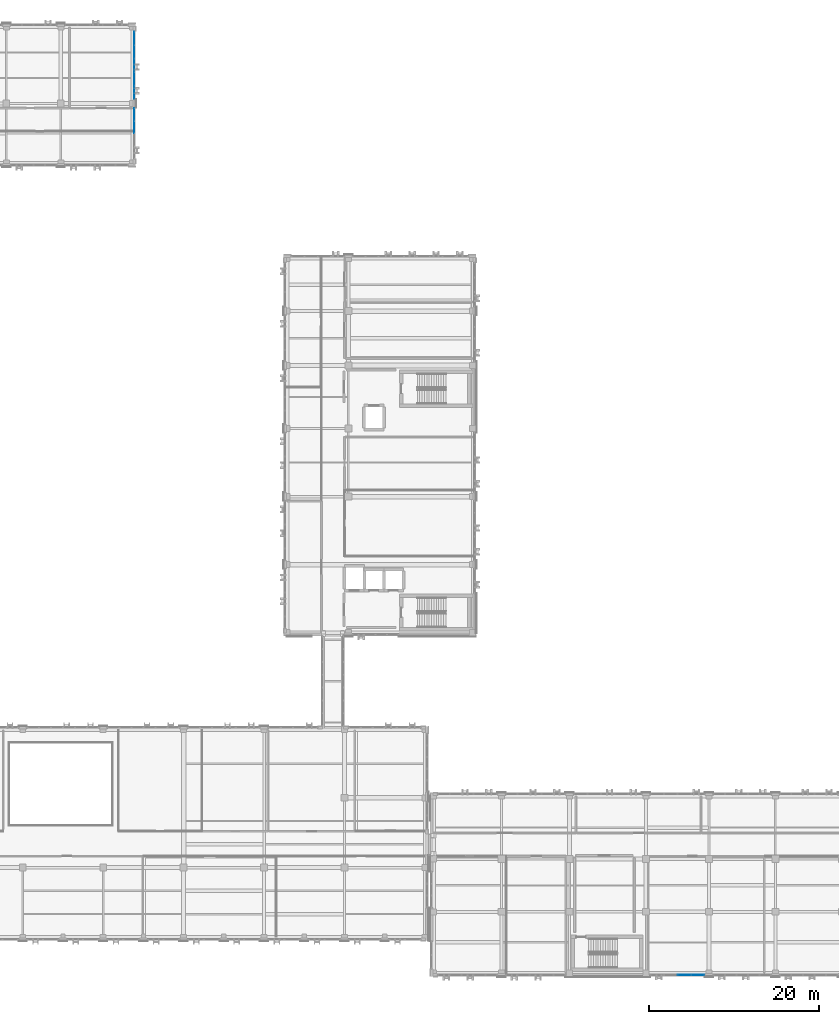
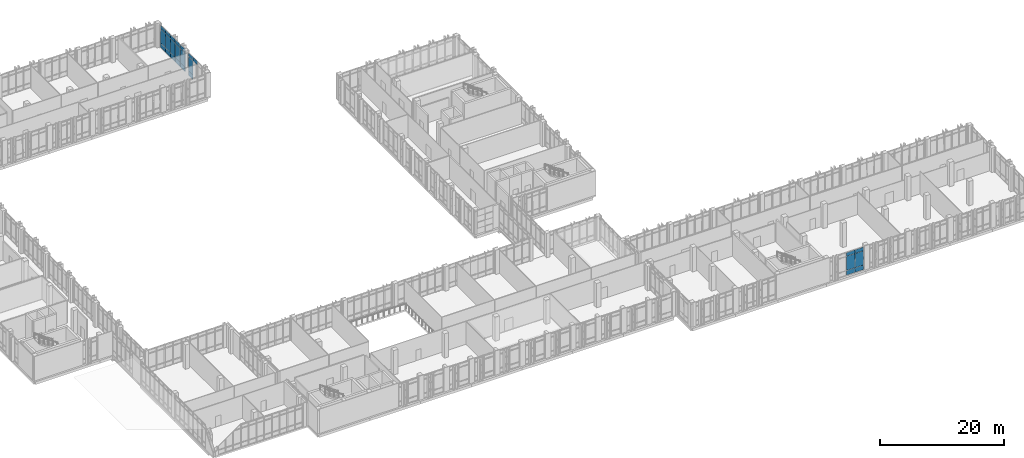
# One storey, part 147 of 189: 25 plates, 3 elements without a shape of their own.
"""IFC4 building model written with IfcOpenShell, lengths in metres."""

from ifc_helpers import new_model, si_unit, direction, frame, origin, origin_2d, place, context, subcontext, project, spatial, rectangle, extrude, material, layer, layer_set, type_object, element, aggregate, save


model = new_model("IFC4")

# Units and contexts
model_context = context("Model", 3, precision=1e-05, world=origin(), true_north=direction((0.0, 1.0)))
body_context = subcontext(model_context, "Body", "Model", "MODEL_VIEW")
ifc_project = project(units=[si_unit("LENGTHUNIT", "METRE"), si_unit("AREAUNIT", "SQUARE_METRE"), si_unit("VOLUMEUNIT", "CUBIC_METRE"), si_unit("PLANEANGLEUNIT", "RADIAN"), si_unit("MASSUNIT", "GRAM", prefix="KILO")], contexts=[model_context])

# Site, building, storey
site_placement = place(None, origin())
site = spatial("IfcSite", under=ifc_project, at=site_placement, CompositionType="ELEMENT")
building_placement = place(site_placement, origin())
building = spatial("IfcBuilding", under=site, at=building_placement, Name="Qalavern Law Courts", CompositionType="ELEMENT")
storey_placement = place(building_placement, frame((0.0, 0.0, 5.39990234375)))
storey = spatial("IfcBuildingStorey", under=building, at=storey_placement, Name="L01", CompositionType="ELEMENT", Elevation=5.39990234375)

# Curtain wall, plates
ifc_material_1 = material(Name="Anodised aluminium and insulated glazing", Category="aluminium")
ifc_layer_1 = layer(ifc_material_1, 0.166015625)
ifc_layer_set_1 = layer_set([ifc_layer_1], Name="Anodised aluminium and insulated glazing")
curtain_wall_type_1 = type_object("IfcCurtainWallType", Name="ENV-CW-LIB", PredefinedType="USERDEFINED", material=ifc_layer_set_1)
curtain_wall_1_placement = place(storey_placement, origin())
curtain_wall_1 = element("IfcCurtainWall", 1, at=curtain_wall_1_placement, inside=storey, type_object=curtain_wall_type_1, Name="V5 unitised curtain wall L01 east 1", ObjectType="UNITISED CURTAIN WALL", PredefinedType="USERDEFINED")
ifc_material_2 = material(Name="Insulated low-E acoustic glazing", Category="glass")
ifc_layer_2 = layer(ifc_material_2, 0.0439453125)
ifc_layer_set_2 = layer_set([ifc_layer_2], Name="Insulated low-E acoustic glazing")
plate_type_1 = type_object("IfcPlateType", Name="ENV-CWP-44", PredefinedType="CURTAIN_PANEL", material=ifc_layer_set_2)
plate_1_placement = place(storey_placement, frame((66.637451171875, 100.85009765625, 3.7841796875), z_axis=(0.0, 0.0, 1.0), x_axis=(0.0, 1.0, 0.0)))
plate_1 = element("IfcPlate", 2, at=plate_1_placement, type_object=plate_type_1, Name="CW-05 panel 3.3", PredefinedType="CURTAIN_PANEL", context=body_context, shape_type="SweptSolid", body=[
    extrude(rectangle(XDim=1.451904296875, YDim=0.0439453125, at=origin_2d()), origin(), (0.0, 0.0, 1.0), 0.677978515625),
])
plate_2_placement = place(storey_placement, frame((66.637451171875, 102.337890625, 0.048095703125), z_axis=(0.0, 0.0, 1.0), x_axis=(0.0, 1.0, 0.0)))
plate_2 = element("IfcPlate", 3, at=plate_2_placement, type_object=plate_type_1, Name="CW-05 panel 4.1", PredefinedType="CURTAIN_PANEL", context=body_context, shape_type="SweptSolid", body=[
    extrude(rectangle(XDim=1.427978515625, YDim=0.0439453125, at=origin_2d()), origin(), (0.0, 0.0, 1.0), 0.8779296875),
])
plate_3_placement = place(storey_placement, frame((66.637451171875, 102.337890625, 0.97412109375), z_axis=(0.0, 0.0, 1.0), x_axis=(0.0, 1.0, 0.0)))
plate_3 = element("IfcPlate", 4, at=plate_3_placement, type_object=plate_type_1, Name="CW-05 panel 4.2", PredefinedType="CURTAIN_PANEL", context=body_context, shape_type="SweptSolid", body=[
    extrude(rectangle(XDim=1.427978515625, YDim=0.0439453125, at=origin_2d()), origin(), (0.0, 0.0, 1.0), 2.761962890625),
])
plate_4_placement = place(storey_placement, frame((66.637451171875, 102.337890625, 3.7841796875), z_axis=(0.0, 0.0, 1.0), x_axis=(0.0, 1.0, 0.0)))
plate_4 = element("IfcPlate", 5, at=plate_4_placement, type_object=plate_type_1, Name="CW-05 panel 4.3", PredefinedType="CURTAIN_PANEL", context=body_context, shape_type="SweptSolid", body=[
    extrude(rectangle(XDim=1.427978515625, YDim=0.0439453125, at=origin_2d()), origin(), (0.0, 0.0, 1.0), 0.677978515625),
])
aggregate(curtain_wall_1, [plate_1, plate_2, plate_3, plate_4])

curtain_wall_2_placement = place(storey_placement, origin())
curtain_wall_2 = element("IfcCurtainWall", 6, at=curtain_wall_2_placement, inside=storey, type_object=curtain_wall_type_1, Name="V5 unitised curtain wall L01 east 2", ObjectType="UNITISED CURTAIN WALL", PredefinedType="USERDEFINED")
ifc_layer_3 = layer(ifc_material_2, 0.048095703125)
ifc_layer_set_3 = layer_set([ifc_layer_3], Name="Insulated low-E acoustic glazing")
plate_type_2 = type_object("IfcPlateType", Name="ENV-CWP-48", PredefinedType="CURTAIN_PANEL", material=ifc_layer_set_3)
plate_5_placement = place(storey_placement, frame((66.637451171875, 104.912109375, 0.048095703125), z_axis=(0.0, 0.0, 1.0), x_axis=(0.0, 1.0, 0.0)))
plate_5 = element("IfcPlate", 7, at=plate_5_placement, type_object=plate_type_2, Name="CW-05 panel 1.1", PredefinedType="CURTAIN_PANEL", context=body_context, shape_type="SweptSolid", body=[
    extrude(rectangle(XDim=1.528076171875, YDim=0.048095703125, at=origin_2d()), origin(), (0.0, 0.0, 1.0), 0.8779296875),
])
plate_6_placement = place(storey_placement, frame((66.637451171875, 104.912109375, 0.97412109375), z_axis=(0.0, 0.0, 1.0), x_axis=(0.0, 1.0, 0.0)))
plate_6 = element("IfcPlate", 8, at=plate_6_placement, type_object=plate_type_2, Name="CW-05 panel 1.2", PredefinedType="CURTAIN_PANEL", context=body_context, shape_type="SweptSolid", body=[
    extrude(rectangle(XDim=1.528076171875, YDim=0.048095703125, at=origin_2d()), origin(), (0.0, 0.0, 1.0), 2.761962890625),
])
plate_7_placement = place(storey_placement, frame((66.637451171875, 104.912109375, 3.7841796875), z_axis=(0.0, 0.0, 1.0), x_axis=(0.0, 1.0, 0.0)))
plate_7 = element("IfcPlate", 9, at=plate_7_placement, type_object=plate_type_2, Name="CW-05 panel 1.3", PredefinedType="CURTAIN_PANEL", context=body_context, shape_type="SweptSolid", body=[
    extrude(rectangle(XDim=1.528076171875, YDim=0.048095703125, at=origin_2d()), origin(), (0.0, 0.0, 1.0), 0.677978515625),
])
plate_8_placement = place(storey_placement, frame((66.637451171875, 106.5, 0.048095703125), z_axis=(0.0, 0.0, 1.0), x_axis=(0.0, 1.0, 0.0)))
plate_8 = element("IfcPlate", 10, at=plate_8_placement, type_object=plate_type_2, Name="CW-05 panel 2.1", PredefinedType="CURTAIN_PANEL", context=body_context, shape_type="SweptSolid", body=[
    extrude(rectangle(XDim=1.552001953125, YDim=0.048095703125, at=origin_2d()), origin(), (0.0, 0.0, 1.0), 0.8779296875),
])
plate_9_placement = place(storey_placement, frame((66.637451171875, 106.5, 0.97412109375), z_axis=(0.0, 0.0, 1.0), x_axis=(0.0, 1.0, 0.0)))
plate_9 = element("IfcPlate", 11, at=plate_9_placement, type_object=plate_type_2, Name="CW-05 panel 2.2", PredefinedType="CURTAIN_PANEL", context=body_context, shape_type="SweptSolid", body=[
    extrude(rectangle(XDim=1.552001953125, YDim=0.048095703125, at=origin_2d()), origin(), (0.0, 0.0, 1.0), 2.761962890625),
])
plate_10_placement = place(storey_placement, frame((66.637451171875, 106.5, 3.7841796875), z_axis=(0.0, 0.0, 1.0), x_axis=(0.0, 1.0, 0.0)))
plate_10 = element("IfcPlate", 12, at=plate_10_placement, type_object=plate_type_2, Name="CW-05 panel 2.3", PredefinedType="CURTAIN_PANEL", context=body_context, shape_type="SweptSolid", body=[
    extrude(rectangle(XDim=1.552001953125, YDim=0.048095703125, at=origin_2d()), origin(), (0.0, 0.0, 1.0), 0.677978515625),
])
plate_11_placement = place(storey_placement, frame((66.637451171875, 108.10009765625, 0.048095703125), z_axis=(0.0, 0.0, 1.0), x_axis=(0.0, 1.0, 0.0)))
plate_11 = element("IfcPlate", 13, at=plate_11_placement, type_object=plate_type_2, Name="CW-05 panel 3.1", PredefinedType="CURTAIN_PANEL", context=body_context, shape_type="SweptSolid", body=[
    extrude(rectangle(XDim=1.552001953125, YDim=0.048095703125, at=origin_2d()), origin(), (0.0, 0.0, 1.0), 0.8779296875),
])
plate_12_placement = place(storey_placement, frame((66.637451171875, 108.10009765625, 0.97412109375), z_axis=(0.0, 0.0, 1.0), x_axis=(0.0, 1.0, 0.0)))
plate_12 = element("IfcPlate", 14, at=plate_12_placement, type_object=plate_type_2, Name="CW-05 panel 3.2", PredefinedType="CURTAIN_PANEL", context=body_context, shape_type="SweptSolid", body=[
    extrude(rectangle(XDim=1.552001953125, YDim=0.048095703125, at=origin_2d()), origin(), (0.0, 0.0, 1.0), 2.761962890625),
])
plate_13_placement = place(storey_placement, frame((66.637451171875, 108.10009765625, 3.7841796875), z_axis=(0.0, 0.0, 1.0), x_axis=(0.0, 1.0, 0.0)))
plate_13 = element("IfcPlate", 15, at=plate_13_placement, type_object=plate_type_2, Name="CW-05 panel 3.3", PredefinedType="CURTAIN_PANEL", context=body_context, shape_type="SweptSolid", body=[
    extrude(rectangle(XDim=1.552001953125, YDim=0.048095703125, at=origin_2d()), origin(), (0.0, 0.0, 1.0), 0.677978515625),
])
plate_14_placement = place(storey_placement, frame((66.637451171875, 109.699951171875, 0.048095703125), z_axis=(0.0, 0.0, 1.0), x_axis=(0.0, 1.0, 0.0)))
plate_14 = element("IfcPlate", 16, at=plate_14_placement, type_object=plate_type_2, Name="CW-05 panel 4.1", PredefinedType="CURTAIN_PANEL", context=body_context, shape_type="SweptSolid", body=[
    extrude(rectangle(XDim=1.552001953125, YDim=0.048095703125, at=origin_2d()), origin(), (0.0, 0.0, 1.0), 0.8779296875),
])
plate_15_placement = place(storey_placement, frame((66.637451171875, 109.699951171875, 0.97412109375), z_axis=(0.0, 0.0, 1.0), x_axis=(0.0, 1.0, 0.0)))
plate_15 = element("IfcPlate", 17, at=plate_15_placement, type_object=plate_type_2, Name="CW-05 panel 4.2", PredefinedType="CURTAIN_PANEL", context=body_context, shape_type="SweptSolid", body=[
    extrude(rectangle(XDim=1.552001953125, YDim=0.048095703125, at=origin_2d()), origin(), (0.0, 0.0, 1.0), 2.761962890625),
])
plate_16_placement = place(storey_placement, frame((66.637451171875, 109.699951171875, 3.7841796875), z_axis=(0.0, 0.0, 1.0), x_axis=(0.0, 1.0, 0.0)))
plate_16 = element("IfcPlate", 18, at=plate_16_placement, type_object=plate_type_2, Name="CW-05 panel 4.3", PredefinedType="CURTAIN_PANEL", context=body_context, shape_type="SweptSolid", body=[
    extrude(rectangle(XDim=1.552001953125, YDim=0.048095703125, at=origin_2d()), origin(), (0.0, 0.0, 1.0), 0.677978515625),
])
plate_17_placement = place(storey_placement, frame((66.637451171875, 111.2880859375, 0.048095703125), z_axis=(0.0, 0.0, 1.0), x_axis=(0.0, 1.0, 0.0)))
plate_17 = element("IfcPlate", 19, at=plate_17_placement, type_object=plate_type_2, Name="CW-05 panel 5.1", PredefinedType="CURTAIN_PANEL", context=body_context, shape_type="SweptSolid", body=[
    extrude(rectangle(XDim=1.528076171875, YDim=0.048095703125, at=origin_2d()), origin(), (0.0, 0.0, 1.0), 0.8779296875),
])
plate_18_placement = place(storey_placement, frame((66.637451171875, 111.2880859375, 0.97412109375), z_axis=(0.0, 0.0, 1.0), x_axis=(0.0, 1.0, 0.0)))
plate_18 = element("IfcPlate", 20, at=plate_18_placement, type_object=plate_type_2, Name="CW-05 panel 5.2", PredefinedType="CURTAIN_PANEL", context=body_context, shape_type="SweptSolid", body=[
    extrude(rectangle(XDim=1.528076171875, YDim=0.048095703125, at=origin_2d()), origin(), (0.0, 0.0, 1.0), 2.761962890625),
])
plate_19_placement = place(storey_placement, frame((66.637451171875, 111.2880859375, 3.7841796875), z_axis=(0.0, 0.0, 1.0), x_axis=(0.0, 1.0, 0.0)))
plate_19 = element("IfcPlate", 21, at=plate_19_placement, type_object=plate_type_2, Name="CW-05 panel 5.3", PredefinedType="CURTAIN_PANEL", context=body_context, shape_type="SweptSolid", body=[
    extrude(rectangle(XDim=1.528076171875, YDim=0.048095703125, at=origin_2d()), origin(), (0.0, 0.0, 1.0), 0.677978515625),
])
aggregate(curtain_wall_2, [plate_5, plate_6, plate_7, plate_8, plate_9, plate_10, plate_11, plate_12, plate_13, plate_14, plate_15, plate_16, plate_17, plate_18, plate_19])

ifc_layer_4 = layer(ifc_material_1, 0.172119140625)
ifc_layer_set_4 = layer_set([ifc_layer_4], Name="Anodised aluminium and insulated glazing")
curtain_wall_type_2 = type_object("IfcCurtainWallType", Name="ENV-CW-COURT", PredefinedType="USERDEFINED", material=ifc_layer_set_4)
curtain_wall_3_placement = place(storey_placement, origin())
curtain_wall_3 = element("IfcCurtainWall", 22, at=curtain_wall_3_placement, inside=storey, type_object=curtain_wall_type_2, Name="V6 unitised curtain wall L01 south 3", ObjectType="UNITISED CURTAIN WALL", PredefinedType="USERDEFINED")
ifc_layer_5 = layer(ifc_material_2, 0.052001953125)
ifc_layer_set_5 = layer_set([ifc_layer_5], Name="Insulated low-E acoustic glazing")
plate_type_3 = type_object("IfcPlateType", Name="ENV-CWP-52", PredefinedType="CURTAIN_PANEL", material=ifc_layer_set_5)
plate_20_placement = place(storey_placement, frame((131.300048828125, 1.16259765625, 0.048095703125), z_axis=(0.0, 0.0, 1.0), x_axis=(1.0, 0.0, 0.0)))
plate_20 = element("IfcPlate", 23, at=plate_20_placement, type_object=plate_type_3, Name="CW-03 panel 3.1", PredefinedType="CURTAIN_PANEL", context=body_context, shape_type="SweptSolid", body=[
    extrude(rectangle(XDim=1.552001953125, YDim=0.052001953125, at=origin_2d()), origin(), (0.0, 0.0, 1.0), 0.8779296875),
])
plate_21_placement = place(storey_placement, frame((131.300048828125, 1.16259765625, 0.97412109375), z_axis=(0.0, 0.0, 1.0), x_axis=(1.0, 0.0, 0.0)))
plate_21 = element("IfcPlate", 24, at=plate_21_placement, type_object=plate_type_3, Name="CW-03 panel 3.2", PredefinedType="CURTAIN_PANEL", context=body_context, shape_type="SweptSolid", body=[
    extrude(rectangle(XDim=1.552001953125, YDim=0.052001953125, at=origin_2d()), origin(), (0.0, 0.0, 1.0), 2.761962890625),
])
plate_22_placement = place(storey_placement, frame((131.300048828125, 1.16259765625, 3.7841796875), z_axis=(0.0, 0.0, 1.0), x_axis=(1.0, 0.0, 0.0)))
plate_22 = element("IfcPlate", 25, at=plate_22_placement, type_object=plate_type_3, Name="CW-03 panel 3.3", PredefinedType="CURTAIN_PANEL", context=body_context, shape_type="SweptSolid", body=[
    extrude(rectangle(XDim=1.552001953125, YDim=0.052001953125, at=origin_2d()), origin(), (0.0, 0.0, 1.0), 0.677978515625),
])
plate_23_placement = place(storey_placement, frame((132.887939453125, 1.16259765625, 0.048095703125), z_axis=(0.0, 0.0, 1.0), x_axis=(1.0, 0.0, 0.0)))
plate_23 = element("IfcPlate", 26, at=plate_23_placement, type_object=plate_type_3, Name="CW-03 panel 4.1", PredefinedType="CURTAIN_PANEL", context=body_context, shape_type="SweptSolid", body=[
    extrude(rectangle(XDim=1.528076171875, YDim=0.052001953125, at=origin_2d()), origin(), (0.0, 0.0, 1.0), 0.8779296875),
])
plate_24_placement = place(storey_placement, frame((132.887939453125, 1.16259765625, 0.97412109375), z_axis=(0.0, 0.0, 1.0), x_axis=(1.0, 0.0, 0.0)))
plate_24 = element("IfcPlate", 27, at=plate_24_placement, type_object=plate_type_3, Name="CW-03 panel 4.2", PredefinedType="CURTAIN_PANEL", context=body_context, shape_type="SweptSolid", body=[
    extrude(rectangle(XDim=1.528076171875, YDim=0.052001953125, at=origin_2d()), origin(), (0.0, 0.0, 1.0), 2.761962890625),
])
plate_25_placement = place(storey_placement, frame((132.887939453125, 1.16259765625, 3.7841796875), z_axis=(0.0, 0.0, 1.0), x_axis=(1.0, 0.0, 0.0)))
plate_25 = element("IfcPlate", 28, at=plate_25_placement, type_object=plate_type_3, Name="CW-03 panel 4.3", PredefinedType="CURTAIN_PANEL", context=body_context, shape_type="SweptSolid", body=[
    extrude(rectangle(XDim=1.528076171875, YDim=0.052001953125, at=origin_2d()), origin(), (0.0, 0.0, 1.0), 0.677978515625),
])
aggregate(curtain_wall_3, [plate_20, plate_21, plate_22, plate_23, plate_24, plate_25])

save(model, "model.ifc")
